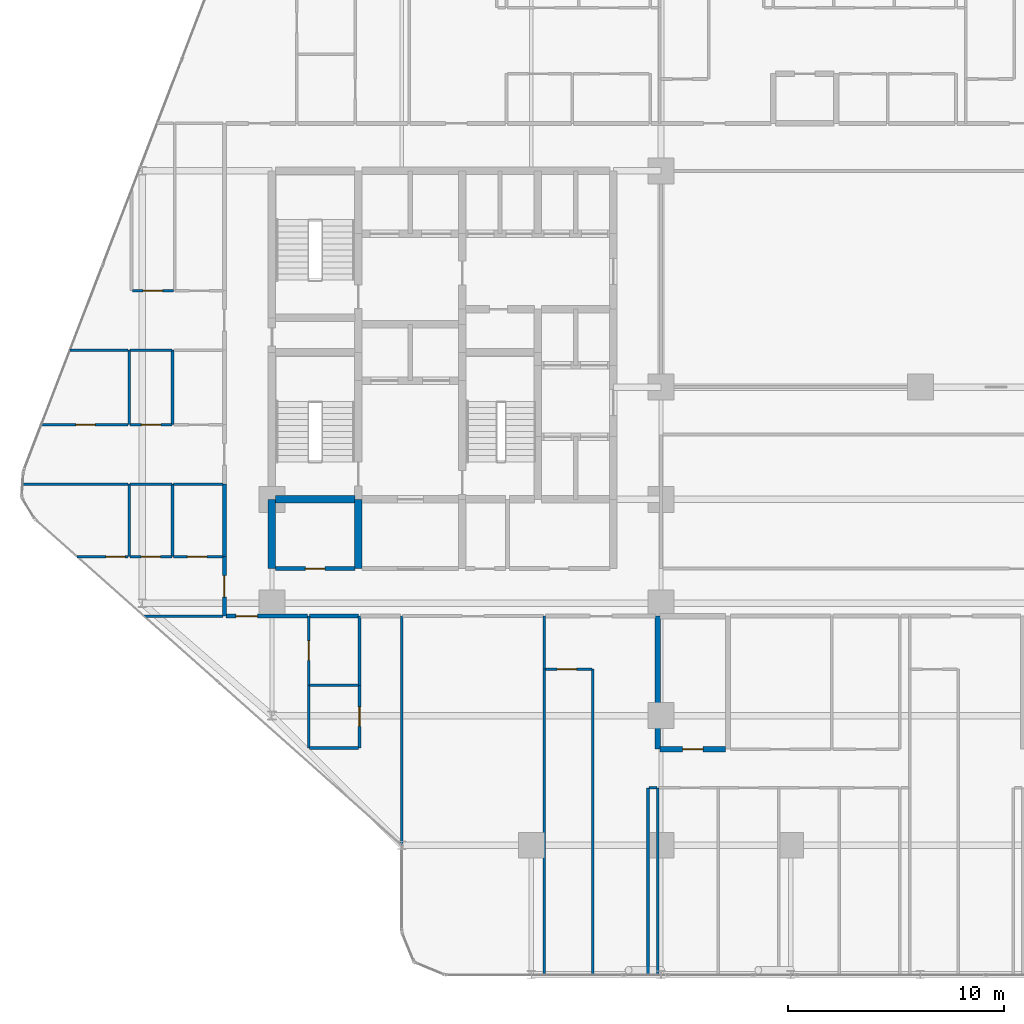
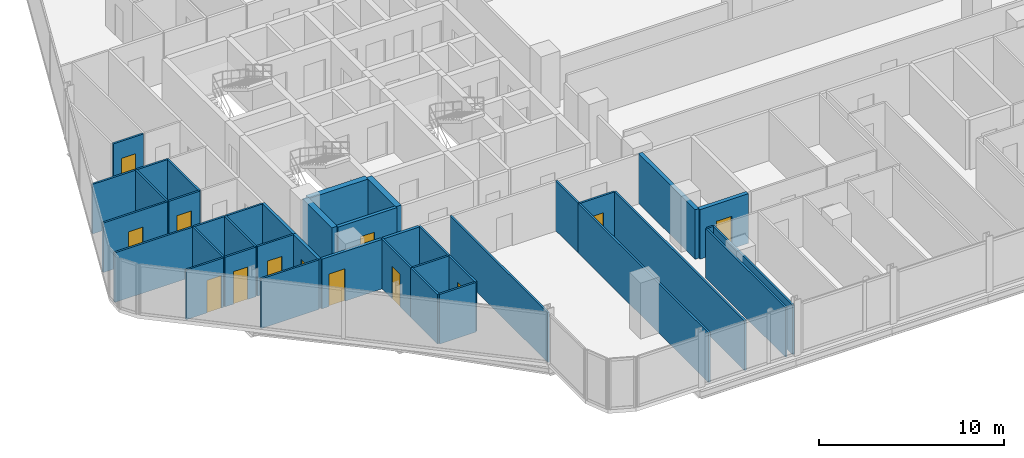
# One storey, part 26 of 33: 40 walls, 13 doors, 13 openings.
"""IFC4 building model written with IfcOpenShell, lengths in metres."""

import ifcopenshell
import ifcopenshell.guid

model = None  # the IFC model being written
_history = None  # IfcOwnerHistory: only IFC2X3 demands one
_inside = {}  # id of a spatial element -> (the spatial element, [elements in it])
_under = {}  # id of a project, library or spatial element -> (it, [spatial elements below it])
_declared = {}  # id of a project -> (the project, [libraries it declares])
_typed = {}  # id of a type object -> (the type object, [elements of that type])
_made_of = {}  # id of a material, layer set ... -> (it, [elements and type objects made of it])


def new_model(schema):
    """Start an empty IFC model of exactly this schema.

    Asked for "IFC4X3", IfcOpenShell would pick the latest addendum, in which some entities
    have other attributes; the version numbers below select the first issue.
    IFC2X3 requires an IfcOwnerHistory on every rooted entity: one is made here for all.
    """
    global model, _history
    if schema == "IFC4X3":
        model = ifcopenshell.file(schema_version=(4, 3, 0, 0))
    else:
        model = ifcopenshell.file(schema=schema)
    _inside.clear()
    _under.clear()
    _declared.clear()
    _typed.clear()
    _made_of.clear()
    _history = None
    if model.schema == "IFC2X3":
        org = make("IfcOrganization", Name="unknown")
        user = make(
            "IfcPersonAndOrganization",
            ThePerson=make("IfcPerson", FamilyName="unknown"),
            TheOrganization=org,
        )
        app = make(
            "IfcApplication",
            ApplicationDeveloper=org,
            Version="unknown",
            ApplicationFullName="unknown",
            ApplicationIdentifier="unknown",
        )
        _history = make(
            "IfcOwnerHistory",
            OwningUser=user,
            OwningApplication=app,
            ChangeAction="ADDED",
            CreationDate=0,
        )
    return model


def make(cls, **values):
    """One entity of the class cls with the attributes given. An attribute that is None is left unset."""
    return model.create_entity(
        cls, **{name: value for name, value in values.items() if value is not None}
    )


def rooted(cls, **values):
    """An entity with a GlobalId (a new one), such as an element, a storey or a relation."""
    return make(cls, GlobalId=ifcopenshell.guid.new(), OwnerHistory=_history, **values)


def si_unit(unit_type, name, prefix=None):
    """IfcSIUnit, for example si_unit("LENGTHUNIT", "METRE", prefix="MILLI")."""
    return make("IfcSIUnit", UnitType=unit_type, Prefix=prefix, Name=name)


def assignment(units):
    """IfcUnitAssignment: the units of a project."""
    return None if units is None else make("IfcUnitAssignment", Units=units)


def point(xyz):
    """IfcCartesianPoint."""
    return None if xyz is None else make("IfcCartesianPoint", Coordinates=xyz)


def direction(xyz):
    """IfcDirection."""
    return None if xyz is None else make("IfcDirection", DirectionRatios=xyz)


def frame(location, z_axis=None, x_axis=None):
    """IfcAxis2Placement3D, a coordinate frame: its origin and axes. An axis left out is left unset."""
    return make(
        "IfcAxis2Placement3D",
        Location=point(location),
        Axis=direction(z_axis),
        RefDirection=direction(x_axis),
    )


def frame_2d(location, x_axis=None):
    """IfcAxis2Placement2D, a coordinate frame in the plane: its origin and x axis."""
    return make(
        "IfcAxis2Placement2D", Location=point(location), RefDirection=direction(x_axis)
    )


def origin():
    """The frame at (0, 0, 0) with its axes left unset."""
    return frame((0.0, 0.0, 0.0))


def place(relative_to, where):
    """IfcLocalPlacement: puts the frame where relative to a parent placement (None: the world)."""
    return make(
        "IfcLocalPlacement", PlacementRelTo=relative_to, RelativePlacement=where
    )


def context(
    kind, dimensions, precision=None, world=None, true_north=None, identifier=None
):
    """IfcGeometricRepresentationContext, for example the 3D "Model" context."""
    return make(
        "IfcGeometricRepresentationContext",
        ContextIdentifier=identifier,
        ContextType=kind,
        CoordinateSpaceDimension=dimensions,
        Precision=precision,
        WorldCoordinateSystem=world,
        TrueNorth=true_north,
    )


def subcontext(parent, identifier, kind, view, scale=None):
    """IfcGeometricRepresentationSubContext, for example "Body" below "Model"."""
    return make(
        "IfcGeometricRepresentationSubContext",
        ContextIdentifier=identifier,
        ContextType=kind,
        ParentContext=parent,
        TargetScale=scale,
        TargetView=view,
    )


def project(units=None, contexts=None):
    """IfcProject with its units and contexts."""
    return rooted(
        "IfcProject",
        Name="project",
        RepresentationContexts=contexts,
        UnitsInContext=assignment(units),
    )


def spatial(cls, under=None, at=None, **own):
    """A site, building, storey or space (cls), placed at a placement, below another one or the project."""
    s = rooted(cls, ObjectPlacement=at, **own)
    if under is not None:
        _under.setdefault(under.id(), (under, []))[1].append(s)
    return s


def profile(cls, at=None, kind="AREA", **sizes):
    """A parametric profile (cls). Its sizes go by their IFC names, for example OverallWidth=200.0."""
    return make(cls, ProfileType=kind, Position=at, **sizes)


def rectangle(**sizes):
    """IfcRectangleProfileDef."""
    return profile("IfcRectangleProfileDef", **sizes)


def extrude(swept, where, along, depth):
    """IfcExtrudedAreaSolid: the profile swept, set in the frame where, extruded along a direction by depth."""
    return make(
        "IfcExtrudedAreaSolid",
        SweptArea=swept,
        Position=where,
        ExtrudedDirection=direction(along),
        Depth=depth,
    )


def shape(context_of_items, identifier, shape_type, items):
    """IfcShapeRepresentation: the items that make up one representation, for example the "Body"."""
    return make(
        "IfcShapeRepresentation",
        ContextOfItems=context_of_items,
        RepresentationIdentifier=identifier,
        RepresentationType=shape_type,
        Items=items,
    )


def material(Name=None, Category=None):
    """IfcMaterial."""
    return make("IfcMaterial", Name=Name, Category=Category)


def layer(
    of_material, thickness, ventilated=None, Name=None, Category=None, Priority=None
):
    """IfcMaterialLayer: one layer of a wall or slab, of a material (None: an air gap)."""
    return make(
        "IfcMaterialLayer",
        Material=of_material,
        LayerThickness=thickness,
        IsVentilated=ventilated,
        Name=Name,
        Category=Category,
        Priority=Priority,
    )


def layer_set(layers, Name=None):
    """IfcMaterialLayerSet."""
    return make("IfcMaterialLayerSet", MaterialLayers=layers, LayerSetName=Name)


def made_of(thing, what):
    """Note that an element or type object is made of a material, layer set ...; save() writes the relation."""
    if what is not None:
        _made_of.setdefault(what.id(), (what, []))[1].append(thing)
    return thing


def type_object(cls, material=None, **own):
    """A type object (cls), such as IfcWallType, which elements share."""
    return made_of(rooted(cls, **own), material)


def element(
    cls,
    number,
    at=None,
    inside=None,
    cuts=None,
    type_object=None,
    material=None,
    context=None,
    identifier="Body",
    shape_type=None,
    held_by="IfcProductDefinitionShape",
    body=None,
    shapes=None,
    **own,
):
    """One element of the class cls, such as IfcWall. Its Tag is "e" and its number.

    at: its placement. inside: the storey or other place that contains it. cuts: it is an
    opening in that element (IfcRelVoidsElement). A single representation is given by context,
    identifier, shape_type and body (its items); several are given by shapes. held_by: the class
    of the entity that holds the representations. save() writes the other relations.
    """
    e = rooted(cls, Tag="e%d" % number, ObjectPlacement=at, **own)
    if body is not None:
        shapes = [shape(context, identifier, shape_type, body)]
    if shapes is not None:
        e.Representation = make(held_by, Representations=shapes)
    if inside is not None:
        _inside.setdefault(inside.id(), (inside, []))[1].append(e)
    if cuts is not None:
        rooted(
            "IfcRelVoidsElement", RelatingBuildingElement=cuts, RelatedOpeningElement=e
        )
    if type_object is not None:
        _typed.setdefault(type_object.id(), (type_object, []))[1].append(e)
    return made_of(e, material)


def fill(opening, filler):
    """IfcRelFillsElement: the door or window that sits in an opening."""
    return rooted(
        "IfcRelFillsElement",
        RelatingOpeningElement=opening,
        RelatedBuildingElement=filler,
    )


def aggregate(whole, parts):
    """IfcRelAggregates: a whole, such as a stair, and the parts it consists of."""
    return rooted("IfcRelAggregates", RelatingObject=whole, RelatedObjects=parts)


def save(model, path):
    """Write the relations noted so far, then the file.

    IfcRelAggregates (storeys below a building ...), IfcRelContainedInSpatialStructure (elements
    in a storey), IfcRelDefinesByType, IfcRelAssociatesMaterial and IfcRelDeclares: one each for
    every whole, place, type object, material and project.
    """
    for whole, parts in _under.values():
        aggregate(whole, parts)
    for where, things in _inside.values():
        rooted(
            "IfcRelContainedInSpatialStructure",
            RelatedElements=things,
            RelatingStructure=where,
        )
    for kind, things in _typed.values():
        rooted("IfcRelDefinesByType", RelatedObjects=things, RelatingType=kind)
    for what, things in _made_of.values():
        rooted("IfcRelAssociatesMaterial", RelatedObjects=things, RelatingMaterial=what)
    for by, libraries in _declared.values():
        rooted("IfcRelDeclares", RelatingContext=by, RelatedDefinitions=libraries)
    model.write(path)


model = new_model("IFC4")

# Units and contexts
model_context = context("Model", 3, precision=1e-05, world=origin(), true_north=direction((0.0, 1.0)))
body_context = subcontext(model_context, "Body", "Model", "MODEL_VIEW")
ifc_project = project(units=[si_unit("LENGTHUNIT", "METRE"), si_unit("AREAUNIT", "SQUARE_METRE"), si_unit("VOLUMEUNIT", "CUBIC_METRE"), si_unit("PLANEANGLEUNIT", "RADIAN"), si_unit("MASSUNIT", "GRAM", prefix="KILO")], contexts=[model_context])

# Site, building, storey
site_placement = place(None, origin())
site = spatial("IfcSite", under=ifc_project, at=site_placement, CompositionType="ELEMENT")
building_placement = place(site_placement, origin())
building = spatial("IfcBuilding", under=site, at=building_placement, Name="Keshet Zoharim Tower", CompositionType="ELEMENT")
storey_placement = place(building_placement, frame((0.0, 0.0, 57.300048828125)))
storey = spatial("IfcBuildingStorey", under=building, at=storey_placement, Name="L13", CompositionType="ELEMENT", Elevation=57.300048828125)

# Walls
ifc_material_1 = material(Name="Concrete C60/75", Category="concrete")
ifc_layer_1 = layer(ifc_material_1, 0.35009765625)
ifc_layer_set_1 = layer_set([ifc_layer_1], Name="Concrete C60/75")
wall_type_1 = type_object("IfcWallType", Name="WL-CORE-350", PredefinedType="SHEAR", material=ifc_layer_set_1)
for number, where, z_axis, x_axis, name in (
    (1, (15.0, 19.5, 0.0), (0.0, 0.0, 1.0), (0.0, 1.0, 0.0), "L13 Core Shear Wall 013"),
    (2, (19.0, 19.5, 0.0), (0.0, 0.0, 1.0), (0.0, 1.0, 0.0), "L13 Core Shear Wall 023"),
):
    element("IfcWall", number, at=place(storey_placement, frame(where, z_axis=z_axis, x_axis=x_axis)), inside=storey, type_object=wall_type_1, Name=name, PredefinedType="SHEAR", context=body_context, shape_type="SweptSolid", body=[
        extrude(rectangle(XDim=3.199951171875, YDim=0.35009765625, at=frame_2d((1.60009765625, 0.0))), origin(), (0.0, 0.0, 1.0), 3.280029296875),
    ])
wall_1_placement = place(storey_placement, frame((15.159912109375, 22.699951171875, 0.0), z_axis=(0.0, 0.0, 1.0), x_axis=(1.0, 0.0, 0.0)))
element("IfcWall", 3, at=wall_1_placement, inside=storey, type_object=wall_type_1, Name="L13 Core Shear Wall 171", PredefinedType="SHEAR", context=body_context, shape_type="SweptSolid", body=[
    extrude(rectangle(XDim=3.68017578125, YDim=0.35009765625, at=frame_2d((1.840087890625, 0.0))), origin(), (0.0, 0.0, 1.0), 3.280029296875),
])

# Wall, opening, door
ifc_material_2 = material(Name="Gypsum Plasterboard", Category="gypsum")
ifc_layer_2 = layer(ifc_material_2, 0.179931640625)
ifc_layer_set_2 = layer_set([ifc_layer_2], Name="Gypsum Plasterboard")
wall_type_2 = type_object("IfcWallType", Name="WL-CORR-180", PredefinedType="STANDARD", material=ifc_layer_set_2)
wall_2_placement = place(storey_placement, frame((12.800048828125, 17.300048828125, 0.0), z_axis=(0.0, 0.0, 1.0), x_axis=(0.0, 1.0, 0.0)))
wall_2 = element("IfcWall", 4, at=wall_2_placement, inside=storey, type_object=wall_type_2, Name="L13 Interior Wall 007", PredefinedType="STANDARD", context=body_context, shape_type="SweptSolid", body=[
    extrude(rectangle(XDim=2.75, YDim=0.179931640625, at=frame_2d((1.375, 0.0))), origin(), (0.0, 0.0, 1.0), 3.280029296875),
])
opening_1_placement = place(wall_2_placement, frame((0.875, 0.0, 0.0)))
opening_1 = element("IfcOpeningElement", 5, at=opening_1_placement, cuts=wall_2, Name="Opening D-F310", PredefinedType="OPENING", context=body_context, shape_type="SweptSolid", body=[
    extrude(rectangle(XDim=1.0, YDim=2.14990234375, at=frame_2d((0.5, 1.074951171875))), frame((0.0, 0.10009765625, 0.0), z_axis=(0.0, -1.0, 0.0), x_axis=(1.0, 0.0, 0.0)), (0.0, 0.0, 1.0), 0.199951171875),
])
ifc_material_3 = material(Name="Hardwood Timber", Category="wood")
door_type_1 = type_object("IfcDoorType", Name="DR-FD30-100", OperationType="NOTDEFINED", PredefinedType="DOOR", material=ifc_material_3)
door_1_placement = place(opening_1_placement, origin())
door_1 = element("IfcDoor", 6, at=door_1_placement, inside=storey, type_object=door_type_1, Name="Apartment 1309 Entrance Door", OperationType="SINGLE_SWING_LEFT", OverallHeight=2.14990234375, OverallWidth=1.0, PredefinedType="DOOR", context=body_context, shape_type="SweptSolid", body=[
    extrude(rectangle(XDim=1.0, YDim=2.14990234375, at=frame_2d((0.5, 1.074951171875))), frame((0.0, 0.02490234375, 0.0), z_axis=(0.0, -1.0, 0.0), x_axis=(1.0, 0.0, 0.0)), (0.0, 0.0, 1.0), 0.050048828125),
])
fill(opening_1, door_1)

# Wall
wall_3_placement = place(storey_placement, frame((12.800048828125, 20.050048828125, 0.0), z_axis=(0.0, 0.0, 1.0), x_axis=(0.0, 1.0, 0.0)))
element("IfcWall", 7, at=wall_3_placement, inside=storey, type_object=wall_type_2, Name="L13 Interior Wall 008", PredefinedType="STANDARD", context=body_context, shape_type="SweptSolid", body=[
    extrude(rectangle(XDim=3.35986328125, YDim=0.179931640625, at=frame_2d((1.679931640625, 0.0))), origin(), (0.0, 0.0, 1.0), 3.280029296875),
])

# Wall, opening, door
wall_4_placement = place(storey_placement, frame((12.875, 17.300048828125, 0.0), z_axis=(0.0, 0.0, 1.0), x_axis=(1.0, 0.0, 0.0)))
wall_4 = element("IfcWall", 8, at=wall_4_placement, inside=storey, type_object=wall_type_2, Name="L13 Interior Wall 146", PredefinedType="STANDARD", context=body_context, shape_type="SweptSolid", body=[
    extrude(rectangle(XDim=3.780029296875, YDim=0.179931640625, at=frame_2d((1.89013671875, 0.0))), origin(), (0.0, 0.0, 1.0), 3.280029296875),
])
opening_2_placement = place(wall_4_placement, frame((0.4580078125, 0.0, 0.0)))
opening_2 = element("IfcOpeningElement", 9, at=opening_2_placement, cuts=wall_4, Name="Opening D-F310", PredefinedType="OPENING", context=body_context, shape_type="SweptSolid", body=[
    extrude(rectangle(XDim=1.0, YDim=2.14990234375, at=frame_2d((0.5, 1.074951171875))), frame((0.0, 0.10009765625, 0.0), z_axis=(0.0, -1.0, 0.0), x_axis=(1.0, 0.0, 0.0)), (0.0, 0.0, 1.0), 0.199951171875),
])
door_2_placement = place(opening_2_placement, origin())
door_2 = element("IfcDoor", 10, at=door_2_placement, inside=storey, type_object=door_type_1, Name="Apartment 1301 Entrance Door", OperationType="SINGLE_SWING_RIGHT", OverallHeight=2.14990234375, OverallWidth=1.0, PredefinedType="DOOR", context=body_context, shape_type="SweptSolid", body=[
    extrude(rectangle(XDim=1.0, YDim=2.14990234375, at=frame_2d((0.5, 1.074951171875))), frame((0.0, 0.02490234375, 0.0), z_axis=(0.0, -1.0, 0.0), x_axis=(1.0, 0.0, 0.0)), (0.0, 0.0, 1.0), 0.050048828125),
])
fill(opening_2, door_2)

# Wall
wall_5_placement = place(storey_placement, frame((16.7451171875, 17.300048828125, 0.0), z_axis=(0.0, 0.0, 1.0), x_axis=(1.0, 0.0, 0.0)))
element("IfcWall", 11, at=wall_5_placement, inside=storey, type_object=wall_type_2, Name="L13 Interior Wall 147", PredefinedType="STANDARD", context=body_context, shape_type="SweptSolid", body=[
    extrude(rectangle(XDim=2.259765625, YDim=0.179931640625, at=frame_2d((1.1298828125, 0.0))), origin(), (0.0, 0.0, 1.0), 3.280029296875),
])

# Wall, opening, door
ifc_material_4 = material(Name="Concrete C50/60", Category="concrete")
ifc_layer_3 = layer(ifc_material_4, 0.199951171875)
ifc_layer_set_3 = layer_set([ifc_layer_3], Name="Concrete C50/60")
wall_type_3 = type_object("IfcWallType", Name="WL-FIRE-200", PredefinedType="STANDARD", material=ifc_layer_set_3)
wall_6_placement = place(storey_placement, frame((15.159912109375, 19.5, 0.0), z_axis=(0.0, 0.0, 1.0), x_axis=(1.0, 0.0, 0.0)))
wall_6 = element("IfcWall", 12, at=wall_6_placement, inside=storey, type_object=wall_type_3, Name="L13 Interior Wall 163", PredefinedType="STANDARD", context=body_context, shape_type="SweptSolid", body=[
    extrude(rectangle(XDim=3.68017578125, YDim=0.199951171875, at=frame_2d((1.840087890625, 0.0))), origin(), (0.0, 0.0, 1.0), 3.280029296875),
])
opening_3_placement = place(wall_6_placement, frame((1.389892578125, 0.0, 0.0)))
opening_3 = element("IfcOpeningElement", 13, at=opening_3_placement, cuts=wall_6, Name="Opening D-F690", PredefinedType="OPENING", context=body_context, shape_type="SweptSolid", body=[
    extrude(rectangle(XDim=0.89990234375, YDim=2.14990234375, at=frame_2d((0.449951171875, 1.074951171875))), frame((0.0, 0.10986328125, 0.0), z_axis=(0.0, -1.0, 0.0), x_axis=(1.0, 0.0, 0.0)), (0.0, 0.0, 1.0), 0.219970703125),
])
door_type_2 = type_object("IfcDoorType", Name="DR-FD60-090", OperationType="NOTDEFINED", PredefinedType="DOOR", material=ifc_material_3)
door_3_placement = place(opening_3_placement, origin())
door_3 = element("IfcDoor", 14, at=door_3_placement, inside=storey, type_object=door_type_2, Name="L13 Refuse Room Door", OperationType="SINGLE_SWING_LEFT", OverallHeight=2.14990234375, OverallWidth=0.89990234375, PredefinedType="DOOR", context=body_context, shape_type="SweptSolid", body=[
    extrude(rectangle(XDim=0.89990234375, YDim=2.14990234375, at=frame_2d((0.449951171875, 1.074951171875))), frame((0.0, 0.02490234375, 0.0), z_axis=(0.0, -1.0, 0.0), x_axis=(1.0, 0.0, 0.0)), (0.0, 0.0, 1.0), 0.050048828125),
])
fill(opening_3, door_3)

# Wall
ifc_layer_4 = layer(ifc_material_4, 0.25)
ifc_layer_set_4 = layer_set([ifc_layer_4], Name="Concrete C50/60")
wall_type_4 = type_object("IfcWallType", Name="WL-MAMAD-250", PredefinedType="STANDARD", material=ifc_layer_set_4)
wall_7_placement = place(storey_placement, frame((32.85009765625, 11.14990234375, 0.0), z_axis=(0.0, 0.0, 1.0), x_axis=(0.0, 1.0, 0.0)))
element("IfcWall", 15, at=wall_7_placement, inside=storey, type_object=wall_type_4, Name="L13 Interior Wall 069", PredefinedType="STANDARD", context=body_context, shape_type="SweptSolid", body=[
    extrude(rectangle(XDim=6.150146484375, YDim=0.25, at=frame_2d((3.0751953125, 0.0))), origin(), (0.0, 0.0, 1.0), 3.280029296875),
])

# Wall, opening, door
wall_8_placement = place(storey_placement, frame((32.9599609375, 11.14990234375, 0.0), z_axis=(0.0, 0.0, 1.0), x_axis=(1.0, 0.0, 0.0)))
wall_8 = element("IfcWall", 16, at=wall_8_placement, inside=storey, type_object=wall_type_4, Name="L13 Interior Wall 133", PredefinedType="STANDARD", context=body_context, shape_type="SweptSolid", body=[
    extrude(rectangle(XDim=3.028076171875, YDim=0.25, at=frame_2d((1.51416015625, 0.0))), origin(), (0.0, 0.0, 1.0), 3.280029296875),
])
opening_4_placement = place(wall_8_placement, frame((1.0390625, 0.0, 0.0)))
opening_4 = element("IfcOpeningElement", 17, at=opening_4_placement, cuts=wall_8, Name="Opening D-F695", PredefinedType="OPENING", context=body_context, shape_type="SweptSolid", body=[
    extrude(rectangle(XDim=0.949951171875, YDim=2.14990234375, at=frame_2d((0.47509765625, 1.074951171875))), frame((0.0, 0.135009765625, 0.0), z_axis=(0.0, -1.0, 0.0), x_axis=(1.0, 0.0, 0.0)), (0.0, 0.0, 1.0), 0.27001953125),
])
door_type_3 = type_object("IfcDoorType", Name="DR-FD60-095", OperationType="NOTDEFINED", PredefinedType="DOOR", material=ifc_material_3)
door_4_placement = place(opening_4_placement, origin())
door_4 = element("IfcDoor", 18, at=door_4_placement, inside=storey, type_object=door_type_3, Name="Apartment 1302 Study and Shelter Room Door", OperationType="SINGLE_SWING_RIGHT", OverallHeight=2.14990234375, OverallWidth=0.949951171875, PredefinedType="DOOR", context=body_context, shape_type="SweptSolid", body=[
    extrude(rectangle(XDim=0.949951171875, YDim=2.14990234375, at=frame_2d((0.47509765625, 1.074951171875))), frame((0.0, 0.02490234375, 0.0), z_axis=(0.0, -1.0, 0.0), x_axis=(1.0, 0.0, 0.0)), (0.0, 0.0, 1.0), 0.050048828125),
])
fill(opening_4, door_4)

# Walls
ifc_layer_5 = layer(ifc_material_2, 0.1201171875)
ifc_layer_set_5 = layer_set([ifc_layer_5], Name="Gypsum Plasterboard")
wall_type_5 = type_object("IfcWallType", Name="WL-PART-120", PredefinedType="PARTITIONING", material=ifc_layer_set_5)
wall_9_placement = place(storey_placement, frame((8.39990234375, 20.050048828125, 0.0), z_axis=(0.0, 0.0, 1.0), x_axis=(0.0, 1.0, 0.0)))
element("IfcWall", 19, at=wall_9_placement, inside=storey, type_object=wall_type_5, Name="L13 Interior Wall 001", PredefinedType="PARTITIONING", context=body_context, shape_type="SweptSolid", body=[
    extrude(rectangle(XDim=3.35986328125, YDim=0.1201171875, at=frame_2d((1.679931640625, 0.0))), origin(), (0.0, 0.0, 1.0), 3.280029296875),
])
wall_10_placement = place(storey_placement, frame((8.39990234375, 26.159912109375, 0.0), z_axis=(0.0, 0.0, 1.0), x_axis=(0.0, 1.0, 0.0)))
element("IfcWall", 20, at=wall_10_placement, inside=storey, type_object=wall_type_5, Name="L13 Interior Wall 002", PredefinedType="PARTITIONING", context=body_context, shape_type="SweptSolid", body=[
    extrude(rectangle(XDim=3.4501953125, YDim=0.1201171875, at=frame_2d((1.72509765625, 0.0))), origin(), (0.0, 0.0, 1.0), 3.280029296875),
])

# Wall, opening, door
wall_11_placement = place(storey_placement, frame((16.699951171875, 14.10009765625, 0.0), z_axis=(0.0, 0.0, 1.0), x_axis=(0.0, 1.0, 0.0)))
wall_11 = element("IfcWall", 21, at=wall_11_placement, inside=storey, type_object=wall_type_5, Name="L13 Interior Wall 020", PredefinedType="PARTITIONING", context=body_context, shape_type="SweptSolid", body=[
    extrude(rectangle(XDim=3.199951171875, YDim=0.1201171875, at=frame_2d((1.60009765625, 0.0))), origin(), (0.0, 0.0, 1.0), 3.280029296875),
])
opening_5_placement = place(wall_11_placement, frame((1.14990234375, 0.0, 0.0)))
opening_5 = element("IfcOpeningElement", 22, at=opening_5_placement, cuts=wall_11, Name="Opening D-IN90", PredefinedType="OPENING", context=body_context, shape_type="SweptSolid", body=[
    extrude(rectangle(XDim=0.89990234375, YDim=2.14990234375, at=frame_2d((0.449951171875, 1.074951171875))), frame((0.0, 0.070068359375, 0.0), z_axis=(0.0, -1.0, 0.0), x_axis=(1.0, 0.0, 0.0)), (0.0, 0.0, 1.0), 0.14013671875),
])
door_type_4 = type_object("IfcDoorType", Name="DR-INT-090", OperationType="NOTDEFINED", PredefinedType="DOOR", material=ifc_material_3)
door_5_placement = place(opening_5_placement, origin())
door_5 = element("IfcDoor", 23, at=door_5_placement, inside=storey, type_object=door_type_4, Name="Apartment 1301 Kitchenette Door", OperationType="SINGLE_SWING_RIGHT", OverallHeight=2.14990234375, OverallWidth=0.89990234375, PredefinedType="DOOR", context=body_context, shape_type="SweptSolid", body=[
    extrude(rectangle(XDim=0.89990234375, YDim=2.14990234375, at=frame_2d((0.449951171875, 1.074951171875))), frame((0.0, 0.02490234375, 0.0), z_axis=(0.0, -1.0, 0.0), x_axis=(1.0, 0.0, 0.0)), (0.0, 0.0, 1.0), 0.050048828125),
])
fill(opening_5, door_5)

# Walls
wall_12_placement = place(storey_placement, frame((19.050048828125, 14.10009765625, 0.0), z_axis=(0.0, 0.0, 1.0), x_axis=(0.0, 1.0, 0.0)))
element("IfcWall", 24, at=wall_12_placement, inside=storey, type_object=wall_type_5, Name="L13 Interior Wall 029", PredefinedType="PARTITIONING", context=body_context, shape_type="SweptSolid", body=[
    extrude(rectangle(XDim=3.199951171875, YDim=0.1201171875, at=frame_2d((1.60009765625, 0.0))), origin(), (0.0, 0.0, 1.0), 3.280029296875),
])
wall_13_placement = place(storey_placement, frame((21.0, 6.7099609375, 0.0), z_axis=(0.0, 0.0, 1.0), x_axis=(0.0, 1.0, 0.0)))
element("IfcWall", 25, at=wall_13_placement, inside=storey, type_object=wall_type_5, Name="L13 Interior Wall 030", PredefinedType="PARTITIONING", context=body_context, shape_type="SweptSolid", body=[
    extrude(rectangle(XDim=10.590087890625, YDim=0.1201171875, at=frame_2d((5.294921875, 0.0))), origin(), (0.0, 0.0, 1.0), 3.280029296875),
])
wall_14_placement = place(storey_placement, frame((27.60009765625, 0.7099609375, 0.0), z_axis=(0.0, 0.0, 1.0), x_axis=(0.0, 1.0, 0.0)))
element("IfcWall", 26, at=wall_14_placement, inside=storey, type_object=wall_type_5, Name="L13 Interior Wall 051", PredefinedType="PARTITIONING", context=body_context, shape_type="SweptSolid", body=[
    extrude(rectangle(XDim=14.14013671875, YDim=0.1201171875, at=frame_2d((7.070068359375, 0.0))), origin(), (0.0, 0.0, 1.0), 3.280029296875),
])
wall_15_placement = place(storey_placement, frame((27.60009765625, 14.85009765625, 0.0), z_axis=(0.0, 0.0, 1.0), x_axis=(0.0, 1.0, 0.0)))
element("IfcWall", 27, at=wall_15_placement, inside=storey, type_object=wall_type_5, Name="L13 Interior Wall 052", PredefinedType="PARTITIONING", context=body_context, shape_type="SweptSolid", body=[
    extrude(rectangle(XDim=2.449951171875, YDim=0.1201171875, at=frame_2d((1.22509765625, 0.0))), origin(), (0.0, 0.0, 1.0), 3.280029296875),
])
wall_16_placement = place(storey_placement, frame((29.85009765625, 0.7099609375, 0.0), z_axis=(0.0, 0.0, 1.0), x_axis=(0.0, 1.0, 0.0)))
element("IfcWall", 28, at=wall_16_placement, inside=storey, type_object=wall_type_5, Name="L13 Interior Wall 058", PredefinedType="PARTITIONING", context=body_context, shape_type="SweptSolid", body=[
    extrude(rectangle(XDim=14.14013671875, YDim=0.1201171875, at=frame_2d((7.070068359375, 0.0))), origin(), (0.0, 0.0, 1.0), 3.280029296875),
])
for number, where, z_axis, x_axis, name in (
    (29, (32.39990234375, 0.7099609375, 0.0), (0.0, 0.0, 1.0), (0.0, 1.0, 0.0), "L13 Interior Wall 065"),
    (30, (32.85009765625, 0.7099609375, 0.0), (0.0, 0.0, 1.0), (0.0, 1.0, 0.0), "L13 Interior Wall 068"),
):
    element("IfcWall", number, at=place(storey_placement, frame(where, z_axis=z_axis, x_axis=x_axis)), inside=storey, type_object=wall_type_5, Name=name, PredefinedType="PARTITIONING", context=body_context, shape_type="SweptSolid", body=[
        extrude(rectangle(XDim=8.64013671875, YDim=0.1201171875, at=frame_2d((4.320068359375, 0.0))), origin(), (0.0, 0.0, 1.0), 3.280029296875),
    ])
wall_17_placement = place(storey_placement, frame((32.445068359375, 9.35009765625, 0.0), z_axis=(0.0, 0.0, 1.0), x_axis=(1.0, 0.0, 0.0)))
element("IfcWall", 31, at=wall_17_placement, inside=storey, type_object=wall_type_5, Name="L13 Interior Wall 125", PredefinedType="PARTITIONING", context=body_context, shape_type="SweptSolid", body=[
    extrude(rectangle(XDim=0.35986328125, YDim=0.1201171875, at=frame_2d((0.179931640625, 0.0))), origin(), (0.0, 0.0, 1.0), 3.280029296875),
])

# Wall, opening, door
wall_18_placement = place(storey_placement, frame((27.64501953125, 14.85009765625, 0.0), z_axis=(0.0, 0.0, 1.0), x_axis=(1.0, 0.0, 0.0)))
wall_18 = element("IfcWall", 32, at=wall_18_placement, inside=storey, type_object=wall_type_5, Name="L13 Interior Wall 143", PredefinedType="PARTITIONING", context=body_context, shape_type="SweptSolid", body=[
    extrude(rectangle(XDim=2.159912109375, YDim=0.1201171875, at=frame_2d((1.080078125, 0.0))), origin(), (0.0, 0.0, 1.0), 3.280029296875),
])
opening_6_placement = place(wall_18_placement, frame((0.552978515625, 0.0, 0.0)))
opening_6 = element("IfcOpeningElement", 33, at=opening_6_placement, cuts=wall_18, Name="Opening D-IN90", PredefinedType="OPENING", context=body_context, shape_type="SweptSolid", body=[
    extrude(rectangle(XDim=0.89990234375, YDim=2.14990234375, at=frame_2d((0.449951171875, 1.074951171875))), frame((0.0, 0.070068359375, 0.0), z_axis=(0.0, -1.0, 0.0), x_axis=(1.0, 0.0, 0.0)), (0.0, 0.0, 1.0), 0.14013671875),
])
door_6_placement = place(opening_6_placement, origin())
door_6 = element("IfcDoor", 34, at=door_6_placement, inside=storey, type_object=door_type_4, Name="Apartment 1302 Formal Dining Room Door", OperationType="SINGLE_SWING_RIGHT", OverallHeight=2.14990234375, OverallWidth=0.89990234375, PredefinedType="DOOR", context=body_context, shape_type="SweptSolid", body=[
    extrude(rectangle(XDim=0.89990234375, YDim=2.14990234375, at=frame_2d((0.449951171875, 1.074951171875))), frame((0.0, 0.02490234375, 0.0), z_axis=(0.0, -1.0, 0.0), x_axis=(1.0, 0.0, 0.0)), (0.0, 0.0, 1.0), 0.050048828125),
])
fill(opening_6, door_6)

# Wall
wall_19_placement = place(storey_placement, frame((9.0849609375, 17.300048828125, 0.0), z_axis=(0.0, 0.0, 1.0), x_axis=(1.0, 0.0, 0.0)))
element("IfcWall", 35, at=wall_19_placement, inside=storey, type_object=wall_type_5, Name="L13 Interior Wall 145", PredefinedType="PARTITIONING", context=body_context, shape_type="SweptSolid", body=[
    extrude(rectangle(XDim=3.64013671875, YDim=0.1201171875, at=frame_2d((1.820068359375, 0.0))), origin(), (0.0, 0.0, 1.0), 3.280029296875),
])

# Wall, opening, door
wall_20_placement = place(storey_placement, frame((5.990966796875, 20.050048828125, 0.0), z_axis=(0.0, 0.0, 1.0), x_axis=(1.0, 0.0, 0.0)))
wall_20 = element("IfcWall", 36, at=wall_20_placement, inside=storey, type_object=wall_type_5, Name="L13 Interior Wall 168", PredefinedType="PARTITIONING", context=body_context, shape_type="SweptSolid", body=[
    extrude(rectangle(XDim=2.340087890625, YDim=0.1201171875, at=frame_2d((1.169921875, 0.0))), origin(), (0.0, 0.0, 1.0), 3.280029296875),
])
opening_7_placement = place(wall_20_placement, frame((1.320068359375, 0.0, 0.0)))
opening_7 = element("IfcOpeningElement", 37, at=opening_7_placement, cuts=wall_20, Name="Opening D-IN90", PredefinedType="OPENING", context=body_context, shape_type="SweptSolid", body=[
    extrude(rectangle(XDim=0.89990234375, YDim=2.14990234375, at=frame_2d((0.449951171875, 1.074951171875))), frame((0.0, 0.070068359375, 0.0), z_axis=(0.0, -1.0, 0.0), x_axis=(1.0, 0.0, 0.0)), (0.0, 0.0, 1.0), 0.14013671875),
])
door_7_placement = place(opening_7_placement, origin())
door_7 = element("IfcDoor", 38, at=door_7_placement, inside=storey, type_object=door_type_4, Name="Apartment 1309 Bedroom 1 Door", OperationType="SINGLE_SWING_RIGHT", OverallHeight=2.14990234375, OverallWidth=0.89990234375, PredefinedType="DOOR", context=body_context, shape_type="SweptSolid", body=[
    extrude(rectangle(XDim=0.89990234375, YDim=2.14990234375, at=frame_2d((0.449951171875, 1.074951171875))), frame((0.0, 0.02490234375, 0.0), z_axis=(0.0, -1.0, 0.0), x_axis=(1.0, 0.0, 0.0)), (0.0, 0.0, 1.0), 0.050048828125),
])
fill(opening_7, door_7)

wall_21_placement = place(storey_placement, frame((8.4208984375, 20.050048828125, 0.0), z_axis=(0.0, 0.0, 1.0), x_axis=(1.0, 0.0, 0.0)))
wall_21 = element("IfcWall", 39, at=wall_21_placement, inside=storey, type_object=wall_type_5, Name="L13 Interior Wall 169", PredefinedType="PARTITIONING", context=body_context, shape_type="SweptSolid", body=[
    extrude(rectangle(XDim=1.945068359375, YDim=0.1201171875, at=frame_2d((0.97265625, 0.0))), origin(), (0.0, 0.0, 1.0), 3.280029296875),
])
opening_8_placement = place(wall_21_placement, frame((0.52197265625, 0.0, 0.0)))
opening_8 = element("IfcOpeningElement", 40, at=opening_8_placement, cuts=wall_21, Name="Opening D-IN90", PredefinedType="OPENING", context=body_context, shape_type="SweptSolid", body=[
    extrude(rectangle(XDim=0.89990234375, YDim=2.14990234375, at=frame_2d((0.449951171875, 1.074951171875))), frame((0.0, 0.070068359375, 0.0), z_axis=(0.0, -1.0, 0.0), x_axis=(1.0, 0.0, 0.0)), (0.0, 0.0, 1.0), 0.14013671875),
])
door_8_placement = place(opening_8_placement, origin())
door_8 = element("IfcDoor", 41, at=door_8_placement, inside=storey, type_object=door_type_4, Name="Apartment 1309 Kitchen Door", OperationType="SINGLE_SWING_LEFT", OverallHeight=2.14990234375, OverallWidth=0.89990234375, PredefinedType="DOOR", context=body_context, shape_type="SweptSolid", body=[
    extrude(rectangle(XDim=0.89990234375, YDim=2.14990234375, at=frame_2d((0.449951171875, 1.074951171875))), frame((0.0, 0.02490234375, 0.0), z_axis=(0.0, -1.0, 0.0), x_axis=(1.0, 0.0, 0.0)), (0.0, 0.0, 1.0), 0.050048828125),
])
fill(opening_8, door_8)

# Walls
wall_22_placement = place(storey_placement, frame((3.468994140625, 23.39990234375, 0.0), z_axis=(0.0, 0.0, 1.0), x_axis=(1.0, 0.0, 0.0)))
element("IfcWall", 42, at=wall_22_placement, inside=storey, type_object=wall_type_5, Name="L13 Interior Wall 176", PredefinedType="PARTITIONING", context=body_context, shape_type="SweptSolid", body=[
    extrude(rectangle(XDim=4.862060546875, YDim=0.1201171875, at=frame_2d((2.43115234375, 0.0))), origin(), (0.0, 0.0, 1.0), 3.280029296875),
])
wall_23_placement = place(storey_placement, frame((8.4208984375, 23.39990234375, 0.0), z_axis=(0.0, 0.0, 1.0), x_axis=(1.0, 0.0, 0.0)))
element("IfcWall", 43, at=wall_23_placement, inside=storey, type_object=wall_type_5, Name="L13 Interior Wall 177", PredefinedType="PARTITIONING", context=body_context, shape_type="SweptSolid", body=[
    extrude(rectangle(XDim=1.945068359375, YDim=0.1201171875, at=frame_2d((0.97265625, 0.0))), origin(), (0.0, 0.0, 1.0), 3.280029296875),
])

# Wall, opening, door
wall_24_placement = place(storey_placement, frame((4.3369140625, 26.14990234375, 0.0), z_axis=(0.0, 0.0, 1.0), x_axis=(1.0, 0.0, 0.0)))
wall_24 = element("IfcWall", 44, at=wall_24_placement, inside=storey, type_object=wall_type_5, Name="L13 Interior Wall 181", PredefinedType="PARTITIONING", context=body_context, shape_type="SweptSolid", body=[
    extrude(rectangle(XDim=4.01220703125, YDim=0.1201171875, at=frame_2d((2.006103515625, 0.0))), origin(), (0.0, 0.0, 1.0), 3.280029296875),
])
opening_9_placement = place(wall_24_placement, frame((1.5859375, 0.0, 0.0)))
opening_9 = element("IfcOpeningElement", 45, at=opening_9_placement, cuts=wall_24, Name="Opening D-IN90", PredefinedType="OPENING", context=body_context, shape_type="SweptSolid", body=[
    extrude(rectangle(XDim=0.89990234375, YDim=2.14990234375, at=frame_2d((0.449951171875, 1.074951171875))), frame((0.0, 0.070068359375, 0.0), z_axis=(0.0, -1.0, 0.0), x_axis=(1.0, 0.0, 0.0)), (0.0, 0.0, 1.0), 0.14013671875),
])
door_9_placement = place(opening_9_placement, origin())
door_9 = element("IfcDoor", 46, at=door_9_placement, inside=storey, type_object=door_type_4, Name="Apartment 1310 Bedroom 1 Door", OperationType="SINGLE_SWING_RIGHT", OverallHeight=2.14990234375, OverallWidth=0.89990234375, PredefinedType="DOOR", context=body_context, shape_type="SweptSolid", body=[
    extrude(rectangle(XDim=0.89990234375, YDim=2.14990234375, at=frame_2d((0.449951171875, 1.074951171875))), frame((0.0, 0.02490234375, 0.0), z_axis=(0.0, -1.0, 0.0), x_axis=(1.0, 0.0, 0.0)), (0.0, 0.0, 1.0), 0.050048828125),
])
fill(opening_9, door_9)

wall_25_placement = place(storey_placement, frame((8.43896484375, 26.14990234375, 0.0), z_axis=(0.0, 0.0, 1.0), x_axis=(1.0, 0.0, 0.0)))
wall_25 = element("IfcWall", 47, at=wall_25_placement, inside=storey, type_object=wall_type_5, Name="L13 Interior Wall 182", PredefinedType="PARTITIONING", context=body_context, shape_type="SweptSolid", body=[
    extrude(rectangle(XDim=1.93701171875, YDim=0.1201171875, at=frame_2d((0.968505859375, 0.0))), origin(), (0.0, 0.0, 1.0), 3.280029296875),
])
opening_10_placement = place(wall_25_placement, frame((0.51806640625, 0.0, 0.0)))
opening_10 = element("IfcOpeningElement", 48, at=opening_10_placement, cuts=wall_25, Name="Opening D-IN90", PredefinedType="OPENING", context=body_context, shape_type="SweptSolid", body=[
    extrude(rectangle(XDim=0.89990234375, YDim=2.14990234375, at=frame_2d((0.449951171875, 1.074951171875))), frame((0.0, 0.070068359375, 0.0), z_axis=(0.0, -1.0, 0.0), x_axis=(1.0, 0.0, 0.0)), (0.0, 0.0, 1.0), 0.14013671875),
])
door_10_placement = place(opening_10_placement, origin())
door_10 = element("IfcDoor", 49, at=door_10_placement, inside=storey, type_object=door_type_4, Name="Apartment 1310 Kitchen Door", OperationType="SINGLE_SWING_LEFT", OverallHeight=2.14990234375, OverallWidth=0.89990234375, PredefinedType="DOOR", context=body_context, shape_type="SweptSolid", body=[
    extrude(rectangle(XDim=0.89990234375, YDim=2.14990234375, at=frame_2d((0.449951171875, 1.074951171875))), frame((0.0, 0.02490234375, 0.0), z_axis=(0.0, -1.0, 0.0), x_axis=(1.0, 0.0, 0.0)), (0.0, 0.0, 1.0), 0.050048828125),
])
fill(opening_10, door_10)

# Walls
wall_26_placement = place(storey_placement, frame((5.6640625, 29.60009765625, 0.0), z_axis=(0.0, 0.0, 1.0), x_axis=(1.0, 0.0, 0.0)))
element("IfcWall", 50, at=wall_26_placement, inside=storey, type_object=wall_type_5, Name="L13 Interior Wall 189", PredefinedType="PARTITIONING", context=body_context, shape_type="SweptSolid", body=[
    extrude(rectangle(XDim=2.68505859375, YDim=0.1201171875, at=frame_2d((1.342529296875, 0.0))), origin(), (0.0, 0.0, 1.0), 3.280029296875),
])
wall_27_placement = place(storey_placement, frame((8.43896484375, 29.60009765625, 0.0), z_axis=(0.0, 0.0, 1.0), x_axis=(1.0, 0.0, 0.0)))
element("IfcWall", 51, at=wall_27_placement, inside=storey, type_object=wall_type_5, Name="L13 Interior Wall 190", PredefinedType="PARTITIONING", context=body_context, shape_type="SweptSolid", body=[
    extrude(rectangle(XDim=1.93701171875, YDim=0.1201171875, at=frame_2d((0.968505859375, 0.0))), origin(), (0.0, 0.0, 1.0), 3.280029296875),
])

# Wall, opening, door
wall_28_placement = place(storey_placement, frame((8.544921875, 32.35009765625, 0.0), z_axis=(0.0, 0.0, 1.0), x_axis=(1.0, 0.0, 0.0)))
wall_28 = element("IfcWall", 52, at=wall_28_placement, inside=storey, type_object=wall_type_5, Name="L13 Interior Wall 196", PredefinedType="PARTITIONING", context=body_context, shape_type="SweptSolid", body=[
    extrude(rectangle(XDim=1.88818359375, YDim=0.1201171875, at=frame_2d((0.944091796875, 0.0))), origin(), (0.0, 0.0, 1.0), 3.280029296875),
])
opening_11_placement = place(wall_28_placement, frame((0.493896484375, 0.0, 0.0)))
opening_11 = element("IfcOpeningElement", 53, at=opening_11_placement, cuts=wall_28, Name="Opening D-IN90", PredefinedType="OPENING", context=body_context, shape_type="SweptSolid", body=[
    extrude(rectangle(XDim=0.89990234375, YDim=2.14990234375, at=frame_2d((0.449951171875, 1.074951171875))), frame((0.0, 0.070068359375, 0.0), z_axis=(0.0, -1.0, 0.0), x_axis=(1.0, 0.0, 0.0)), (0.0, 0.0, 1.0), 0.14013671875),
])
door_11_placement = place(opening_11_placement, origin())
door_11 = element("IfcDoor", 54, at=door_11_placement, inside=storey, type_object=door_type_4, Name="Apartment 1311 Kitchen Door", OperationType="SINGLE_SWING_LEFT", OverallHeight=2.14990234375, OverallWidth=0.89990234375, PredefinedType="DOOR", context=body_context, shape_type="SweptSolid", body=[
    extrude(rectangle(XDim=0.89990234375, YDim=2.14990234375, at=frame_2d((0.449951171875, 1.074951171875))), frame((0.0, 0.02490234375, 0.0), z_axis=(0.0, -1.0, 0.0), x_axis=(1.0, 0.0, 0.0)), (0.0, 0.0, 1.0), 0.050048828125),
])
fill(opening_11, door_11)

# Walls
ifc_layer_6 = layer(ifc_material_2, 0.1201171875)
ifc_layer_set_6 = layer_set([ifc_layer_6], Name="Gypsum Plasterboard")
wall_type_6 = type_object("IfcWallType", Name="WL-WET-120", PredefinedType="PARTITIONING", material=ifc_layer_set_6)
wall_29_placement = place(storey_placement, frame((10.39990234375, 20.050048828125, 0.0), z_axis=(0.0, 0.0, 1.0), x_axis=(0.0, 1.0, 0.0)))
element("IfcWall", 55, at=wall_29_placement, inside=storey, type_object=wall_type_6, Name="L13 Interior Wall 004", PredefinedType="PARTITIONING", context=body_context, shape_type="SweptSolid", body=[
    extrude(rectangle(XDim=3.35986328125, YDim=0.1201171875, at=frame_2d((1.679931640625, 0.0))), origin(), (0.0, 0.0, 1.0), 3.280029296875),
])
wall_30_placement = place(storey_placement, frame((10.39990234375, 26.159912109375, 0.0), z_axis=(0.0, 0.0, 1.0), x_axis=(0.0, 1.0, 0.0)))
element("IfcWall", 56, at=wall_30_placement, inside=storey, type_object=wall_type_6, Name="L13 Interior Wall 005", PredefinedType="PARTITIONING", context=body_context, shape_type="SweptSolid", body=[
    extrude(rectangle(XDim=3.4501953125, YDim=0.1201171875, at=frame_2d((1.72509765625, 0.0))), origin(), (0.0, 0.0, 1.0), 3.280029296875),
])
wall_31_placement = place(storey_placement, frame((16.699951171875, 11.199951171875, 0.0), z_axis=(0.0, 0.0, 1.0), x_axis=(0.0, 1.0, 0.0)))
element("IfcWall", 57, at=wall_31_placement, inside=storey, type_object=wall_type_6, Name="L13 Interior Wall 019", PredefinedType="PARTITIONING", context=body_context, shape_type="SweptSolid", body=[
    extrude(rectangle(XDim=2.900146484375, YDim=0.1201171875, at=frame_2d((1.4501953125, 0.0))), origin(), (0.0, 0.0, 1.0), 3.280029296875),
])

# Wall, opening, door
wall_32_placement = place(storey_placement, frame((19.050048828125, 11.199951171875, 0.0), z_axis=(0.0, 0.0, 1.0), x_axis=(0.0, 1.0, 0.0)))
wall_32 = element("IfcWall", 58, at=wall_32_placement, inside=storey, type_object=wall_type_6, Name="L13 Interior Wall 028", PredefinedType="PARTITIONING", context=body_context, shape_type="SweptSolid", body=[
    extrude(rectangle(XDim=2.900146484375, YDim=0.1201171875, at=frame_2d((1.4501953125, 0.0))), origin(), (0.0, 0.0, 1.0), 3.280029296875),
])
opening_12_placement = place(wall_32_placement, frame((1.0, 0.0, 0.0)))
opening_12 = element("IfcOpeningElement", 59, at=opening_12_placement, cuts=wall_32, Name="Opening D-WT90", PredefinedType="OPENING", context=body_context, shape_type="SweptSolid", body=[
    extrude(rectangle(XDim=0.89990234375, YDim=2.10009765625, at=frame_2d((0.449951171875, 1.050048828125))), frame((0.0, 0.070068359375, 0.0), z_axis=(0.0, -1.0, 0.0), x_axis=(1.0, 0.0, 0.0)), (0.0, 0.0, 1.0), 0.14013671875),
])
door_type_5 = type_object("IfcDoorType", Name="DR-WET-090", OperationType="NOTDEFINED", PredefinedType="DOOR", material=ifc_material_3)
door_12_placement = place(opening_12_placement, origin())
door_12 = element("IfcDoor", 60, at=door_12_placement, inside=storey, type_object=door_type_5, Name="Apartment 1301 Bathroom Door", OperationType="SINGLE_SWING_RIGHT", OverallHeight=2.10009765625, OverallWidth=0.89990234375, PredefinedType="DOOR", context=body_context, shape_type="SweptSolid", body=[
    extrude(rectangle(XDim=0.89990234375, YDim=2.10009765625, at=frame_2d((0.449951171875, 1.050048828125))), frame((0.0, 0.02490234375, 0.0), z_axis=(0.0, -1.0, 0.0), x_axis=(1.0, 0.0, 0.0)), (0.0, 0.0, 1.0), 0.050048828125),
])
fill(opening_12, door_12)

# Walls
for number, where, z_axis, x_axis, name in (
    (61, (16.7451171875, 11.199951171875, 0.0), (0.0, 0.0, 1.0), (1.0, 0.0, 0.0), "L13 Interior Wall 141"),
    (62, (16.7451171875, 14.10009765625, 0.0), (0.0, 0.0, 1.0), (1.0, 0.0, 0.0), "L13 Interior Wall 142"),
):
    element("IfcWall", number, at=place(storey_placement, frame(where, z_axis=z_axis, x_axis=x_axis)), inside=storey, type_object=wall_type_6, Name=name, PredefinedType="PARTITIONING", context=body_context, shape_type="SweptSolid", body=[
        extrude(rectangle(XDim=2.259765625, YDim=0.1201171875, at=frame_2d((1.1298828125, 0.0))), origin(), (0.0, 0.0, 1.0), 3.280029296875),
    ])

# Wall, opening, door
wall_33_placement = place(storey_placement, frame((10.4560546875, 20.050048828125, 0.0), z_axis=(0.0, 0.0, 1.0), x_axis=(1.0, 0.0, 0.0)))
wall_33 = element("IfcWall", 63, at=wall_33_placement, inside=storey, type_object=wall_type_6, Name="L13 Interior Wall 170", PredefinedType="PARTITIONING", context=body_context, shape_type="SweptSolid", body=[
    extrude(rectangle(XDim=2.26904296875, YDim=0.1201171875, at=frame_2d((1.134521484375, 0.0))), origin(), (0.0, 0.0, 1.0), 3.280029296875),
])
opening_13_placement = place(wall_33_placement, frame((0.62890625, 0.0, 0.0)))
opening_13 = element("IfcOpeningElement", 64, at=opening_13_placement, cuts=wall_33, Name="Opening D-WT90", PredefinedType="OPENING", context=body_context, shape_type="SweptSolid", body=[
    extrude(rectangle(XDim=0.89990234375, YDim=2.10009765625, at=frame_2d((0.449951171875, 1.050048828125))), frame((0.0, 0.070068359375, 0.0), z_axis=(0.0, -1.0, 0.0), x_axis=(1.0, 0.0, 0.0)), (0.0, 0.0, 1.0), 0.14013671875),
])
door_13_placement = place(opening_13_placement, origin())
door_13 = element("IfcDoor", 65, at=door_13_placement, inside=storey, type_object=door_type_5, Name="Apartment 1309 Bathroom Door", OperationType="SINGLE_SWING_RIGHT", OverallHeight=2.10009765625, OverallWidth=0.89990234375, PredefinedType="DOOR", context=body_context, shape_type="SweptSolid", body=[
    extrude(rectangle(XDim=0.89990234375, YDim=2.10009765625, at=frame_2d((0.449951171875, 1.050048828125))), frame((0.0, 0.02490234375, 0.0), z_axis=(0.0, -1.0, 0.0), x_axis=(1.0, 0.0, 0.0)), (0.0, 0.0, 1.0), 0.050048828125),
])
fill(opening_13, door_13)

# Wall
wall_34_placement = place(storey_placement, frame((10.4560546875, 23.39990234375, 0.0), z_axis=(0.0, 0.0, 1.0), x_axis=(1.0, 0.0, 0.0)))
element("IfcWall", 66, at=wall_34_placement, inside=storey, type_object=wall_type_6, Name="L13 Interior Wall 178", PredefinedType="PARTITIONING", context=body_context, shape_type="SweptSolid", body=[
    extrude(rectangle(XDim=2.26904296875, YDim=0.1201171875, at=frame_2d((1.134521484375, 0.0))), origin(), (0.0, 0.0, 1.0), 3.280029296875),
])

save(model, "model.ifc")
